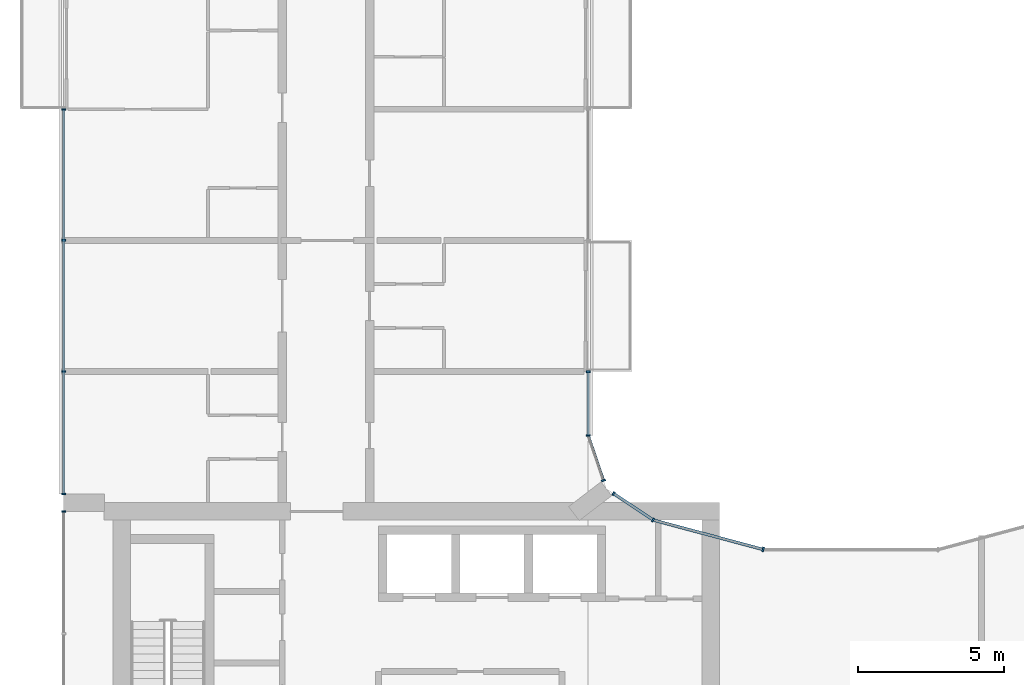
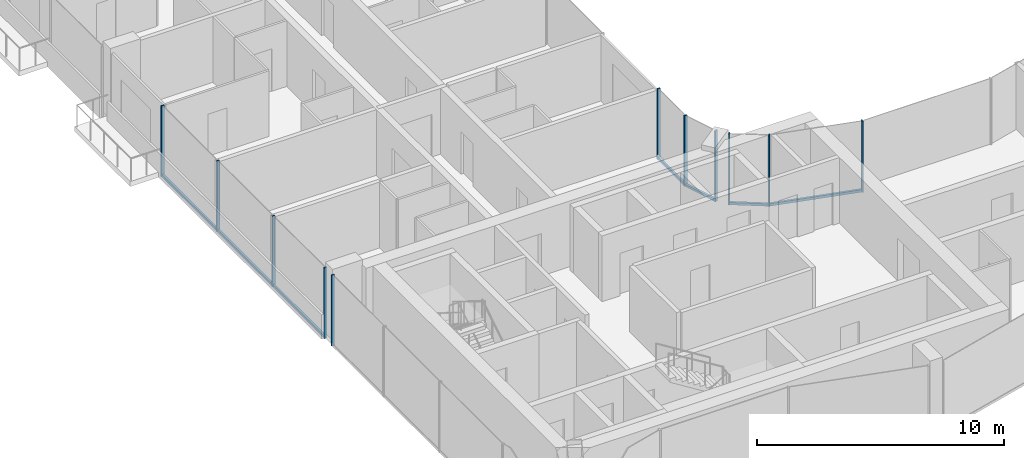
# One storey, part 4 of 15: 16 members, 6 elements without a shape of their own.
"""IFC4 building model written with IfcOpenShell, lengths in metres."""

import ifcopenshell
import ifcopenshell.guid

model = None  # the IFC model being written
_history = None  # IfcOwnerHistory: only IFC2X3 demands one
_inside = {}  # id of a spatial element -> (the spatial element, [elements in it])
_under = {}  # id of a project, library or spatial element -> (it, [spatial elements below it])
_declared = {}  # id of a project -> (the project, [libraries it declares])
_typed = {}  # id of a type object -> (the type object, [elements of that type])
_made_of = {}  # id of a material, layer set ... -> (it, [elements and type objects made of it])


def new_model(schema):
    """Start an empty IFC model of exactly this schema.

    Asked for "IFC4X3", IfcOpenShell would pick the latest addendum, in which some entities
    have other attributes; the version numbers below select the first issue.
    IFC2X3 requires an IfcOwnerHistory on every rooted entity: one is made here for all.
    """
    global model, _history
    if schema == "IFC4X3":
        model = ifcopenshell.file(schema_version=(4, 3, 0, 0))
    else:
        model = ifcopenshell.file(schema=schema)
    _inside.clear()
    _under.clear()
    _declared.clear()
    _typed.clear()
    _made_of.clear()
    _history = None
    if model.schema == "IFC2X3":
        org = make("IfcOrganization", Name="unknown")
        user = make(
            "IfcPersonAndOrganization",
            ThePerson=make("IfcPerson", FamilyName="unknown"),
            TheOrganization=org,
        )
        app = make(
            "IfcApplication",
            ApplicationDeveloper=org,
            Version="unknown",
            ApplicationFullName="unknown",
            ApplicationIdentifier="unknown",
        )
        _history = make(
            "IfcOwnerHistory",
            OwningUser=user,
            OwningApplication=app,
            ChangeAction="ADDED",
            CreationDate=0,
        )
    return model


def make(cls, **values):
    """One entity of the class cls with the attributes given. An attribute that is None is left unset."""
    return model.create_entity(
        cls, **{name: value for name, value in values.items() if value is not None}
    )


def rooted(cls, **values):
    """An entity with a GlobalId (a new one), such as an element, a storey or a relation."""
    return make(cls, GlobalId=ifcopenshell.guid.new(), OwnerHistory=_history, **values)


def si_unit(unit_type, name, prefix=None):
    """IfcSIUnit, for example si_unit("LENGTHUNIT", "METRE", prefix="MILLI")."""
    return make("IfcSIUnit", UnitType=unit_type, Prefix=prefix, Name=name)


def assignment(units):
    """IfcUnitAssignment: the units of a project."""
    return None if units is None else make("IfcUnitAssignment", Units=units)


def point(xyz):
    """IfcCartesianPoint."""
    return None if xyz is None else make("IfcCartesianPoint", Coordinates=xyz)


def direction(xyz):
    """IfcDirection."""
    return None if xyz is None else make("IfcDirection", DirectionRatios=xyz)


def frame(location, z_axis=None, x_axis=None):
    """IfcAxis2Placement3D, a coordinate frame: its origin and axes. An axis left out is left unset."""
    return make(
        "IfcAxis2Placement3D",
        Location=point(location),
        Axis=direction(z_axis),
        RefDirection=direction(x_axis),
    )


def frame_2d(location, x_axis=None):
    """IfcAxis2Placement2D, a coordinate frame in the plane: its origin and x axis."""
    return make(
        "IfcAxis2Placement2D", Location=point(location), RefDirection=direction(x_axis)
    )


def origin():
    """The frame at (0, 0, 0) with its axes left unset."""
    return frame((0.0, 0.0, 0.0))


def origin_2d():
    """The frame at (0, 0) in the plane with its x axis left unset."""
    return frame_2d((0.0, 0.0))


def place(relative_to, where):
    """IfcLocalPlacement: puts the frame where relative to a parent placement (None: the world)."""
    return make(
        "IfcLocalPlacement", PlacementRelTo=relative_to, RelativePlacement=where
    )


def context(
    kind, dimensions, precision=None, world=None, true_north=None, identifier=None
):
    """IfcGeometricRepresentationContext, for example the 3D "Model" context."""
    return make(
        "IfcGeometricRepresentationContext",
        ContextIdentifier=identifier,
        ContextType=kind,
        CoordinateSpaceDimension=dimensions,
        Precision=precision,
        WorldCoordinateSystem=world,
        TrueNorth=true_north,
    )


def subcontext(parent, identifier, kind, view, scale=None):
    """IfcGeometricRepresentationSubContext, for example "Body" below "Model"."""
    return make(
        "IfcGeometricRepresentationSubContext",
        ContextIdentifier=identifier,
        ContextType=kind,
        ParentContext=parent,
        TargetScale=scale,
        TargetView=view,
    )


def project(units=None, contexts=None):
    """IfcProject with its units and contexts."""
    return rooted(
        "IfcProject",
        Name="project",
        RepresentationContexts=contexts,
        UnitsInContext=assignment(units),
    )


def spatial(cls, under=None, at=None, **own):
    """A site, building, storey or space (cls), placed at a placement, below another one or the project."""
    s = rooted(cls, ObjectPlacement=at, **own)
    if under is not None:
        _under.setdefault(under.id(), (under, []))[1].append(s)
    return s


def profile(cls, at=None, kind="AREA", **sizes):
    """A parametric profile (cls). Its sizes go by their IFC names, for example OverallWidth=200.0."""
    return make(cls, ProfileType=kind, Position=at, **sizes)


def rectangle(**sizes):
    """IfcRectangleProfileDef."""
    return profile("IfcRectangleProfileDef", **sizes)


def extrude(swept, where, along, depth):
    """IfcExtrudedAreaSolid: the profile swept, set in the frame where, extruded along a direction by depth."""
    return make(
        "IfcExtrudedAreaSolid",
        SweptArea=swept,
        Position=where,
        ExtrudedDirection=direction(along),
        Depth=depth,
    )


def shape(context_of_items, identifier, shape_type, items):
    """IfcShapeRepresentation: the items that make up one representation, for example the "Body"."""
    return make(
        "IfcShapeRepresentation",
        ContextOfItems=context_of_items,
        RepresentationIdentifier=identifier,
        RepresentationType=shape_type,
        Items=items,
    )


def material(Name=None, Category=None):
    """IfcMaterial."""
    return make("IfcMaterial", Name=Name, Category=Category)


def layer(
    of_material, thickness, ventilated=None, Name=None, Category=None, Priority=None
):
    """IfcMaterialLayer: one layer of a wall or slab, of a material (None: an air gap)."""
    return make(
        "IfcMaterialLayer",
        Material=of_material,
        LayerThickness=thickness,
        IsVentilated=ventilated,
        Name=Name,
        Category=Category,
        Priority=Priority,
    )


def layer_set(layers, Name=None):
    """IfcMaterialLayerSet."""
    return make("IfcMaterialLayerSet", MaterialLayers=layers, LayerSetName=Name)


def material_profile(
    of_material, cross_section, Name=None, Category=None, Priority=None
):
    """IfcMaterialProfile: a cross section and its material."""
    return make(
        "IfcMaterialProfile",
        Name=Name,
        Material=of_material,
        Profile=cross_section,
        Priority=Priority,
        Category=Category,
    )


def profile_set(profiles, Name=None, composite=None):
    """IfcMaterialProfileSet."""
    return make(
        "IfcMaterialProfileSet",
        Name=Name,
        MaterialProfiles=profiles,
        CompositeProfile=composite,
    )


def made_of(thing, what):
    """Note that an element or type object is made of a material, layer set ...; save() writes the relation."""
    if what is not None:
        _made_of.setdefault(what.id(), (what, []))[1].append(thing)
    return thing


def type_object(cls, material=None, **own):
    """A type object (cls), such as IfcWallType, which elements share."""
    return made_of(rooted(cls, **own), material)


def element(
    cls,
    number,
    at=None,
    inside=None,
    cuts=None,
    type_object=None,
    material=None,
    context=None,
    identifier="Body",
    shape_type=None,
    held_by="IfcProductDefinitionShape",
    body=None,
    shapes=None,
    **own,
):
    """One element of the class cls, such as IfcWall. Its Tag is "e" and its number.

    at: its placement. inside: the storey or other place that contains it. cuts: it is an
    opening in that element (IfcRelVoidsElement). A single representation is given by context,
    identifier, shape_type and body (its items); several are given by shapes. held_by: the class
    of the entity that holds the representations. save() writes the other relations.
    """
    e = rooted(cls, Tag="e%d" % number, ObjectPlacement=at, **own)
    if body is not None:
        shapes = [shape(context, identifier, shape_type, body)]
    if shapes is not None:
        e.Representation = make(held_by, Representations=shapes)
    if inside is not None:
        _inside.setdefault(inside.id(), (inside, []))[1].append(e)
    if cuts is not None:
        rooted(
            "IfcRelVoidsElement", RelatingBuildingElement=cuts, RelatedOpeningElement=e
        )
    if type_object is not None:
        _typed.setdefault(type_object.id(), (type_object, []))[1].append(e)
    return made_of(e, material)


def aggregate(whole, parts):
    """IfcRelAggregates: a whole, such as a stair, and the parts it consists of."""
    return rooted("IfcRelAggregates", RelatingObject=whole, RelatedObjects=parts)


def save(model, path):
    """Write the relations noted so far, then the file.

    IfcRelAggregates (storeys below a building ...), IfcRelContainedInSpatialStructure (elements
    in a storey), IfcRelDefinesByType, IfcRelAssociatesMaterial and IfcRelDeclares: one each for
    every whole, place, type object, material and project.
    """
    for whole, parts in _under.values():
        aggregate(whole, parts)
    for where, things in _inside.values():
        rooted(
            "IfcRelContainedInSpatialStructure",
            RelatedElements=things,
            RelatingStructure=where,
        )
    for kind, things in _typed.values():
        rooted("IfcRelDefinesByType", RelatedObjects=things, RelatingType=kind)
    for what, things in _made_of.values():
        rooted("IfcRelAssociatesMaterial", RelatedObjects=things, RelatingMaterial=what)
    for by, libraries in _declared.values():
        rooted("IfcRelDeclares", RelatingContext=by, RelatedDefinitions=libraries)
    model.write(path)


model = new_model("IFC4")

# Units and contexts
model_context = context("Model", 3, precision=1e-05, world=origin(), true_north=direction((0.0, 1.0)))
body_context = subcontext(model_context, "Body", "Model", "MODEL_VIEW")
ifc_project = project(units=[si_unit("LENGTHUNIT", "METRE"), si_unit("AREAUNIT", "SQUARE_METRE"), si_unit("VOLUMEUNIT", "CUBIC_METRE"), si_unit("PLANEANGLEUNIT", "RADIAN"), si_unit("MASSUNIT", "GRAM", prefix="KILO")], contexts=[model_context])

# Site, building, storey
site_placement = place(None, origin())
site = spatial("IfcSite", under=ifc_project, at=site_placement, CompositionType="ELEMENT")
building_placement = place(site_placement, origin())
building = spatial("IfcBuilding", under=site, at=building_placement, Name="Plateau Cross Towers", CompositionType="ELEMENT")
storey_placement = place(building_placement, frame((0.0, 0.0, 153.39990234375)))
storey = spatial("IfcBuildingStorey", under=building, at=storey_placement, Name="L39", CompositionType="ELEMENT", Elevation=153.39990234375)

# Curtain wall, members
ifc_material_1 = material(Name="Dark low-iron glass", Category="glass")
ifc_layer_1 = layer(ifc_material_1, 0.239990234375)
ifc_layer_set_1 = layer_set([ifc_layer_1], Name="Dark low-iron glass")
curtain_wall_type_1 = type_object("IfcCurtainWallType", Name="Curtain wall flush unitised CW-B", PredefinedType="NOTDEFINED", material=ifc_layer_set_1)
curtain_wall_1_placement = place(storey_placement, origin())
curtain_wall_1 = element("IfcCurtainWall", 1, at=curtain_wall_1_placement, inside=storey, type_object=curtain_wall_type_1, Name="ENV/A/L39/A202_174", PredefinedType="NOTDEFINED")
ifc_material_2 = material(Name="Black anodised aluminium", Category="aluminium")
ifc_material_profile_1 = material_profile(ifc_material_2, rectangle(XDim=0.06005859375, YDim=0.139892578125, at=origin_2d()), Name="MULLION 60x140")
ifc_profile_set_1 = profile_set([ifc_material_profile_1], Name="Black anodised aluminium")
member_type_1 = type_object("IfcMemberType", Name="Mullion 60x140 flush unitised", PredefinedType="MULLION", material=ifc_profile_set_1)
member_1_placement = place(storey_placement, frame((20.223876953125, 17.404296875, -0.25), z_axis=(0.0, 0.0, 1.0), x_axis=(-0.831521253329, 0.555492938984, 0.0)))
member_1 = element("IfcMember", 2, at=member_1_placement, type_object=member_type_1, Name="CW-B mullion 1", PredefinedType="MULLION", context=body_context, shape_type="SweptSolid", body=[
    extrude(rectangle(XDim=0.06005859375, YDim=0.139892578125, at=origin_2d()), origin(), (0.0, 0.0, 1.0), 3.5),
])
member_2_placement = place(storey_placement, frame((18.86962890625, 18.30908203125, -0.25), z_axis=(0.0, 0.0, 1.0), x_axis=(-0.831521253329, 0.555492938984, 0.0)))
member_2 = element("IfcMember", 3, at=member_2_placement, type_object=member_type_1, Name="CW-B mullion 2", PredefinedType="MULLION", context=body_context, shape_type="SweptSolid", body=[
    extrude(rectangle(XDim=0.06005859375, YDim=0.139892578125, at=origin_2d()), origin(), (0.0, 0.0, 1.0), 3.5),
])

# Curtain wall, member
curtain_wall_2_placement = place(storey_placement, origin())
curtain_wall_2 = element("IfcCurtainWall", 4, at=curtain_wall_2_placement, inside=storey, type_object=curtain_wall_type_1, Name="ENV/A/L39/A185_188", PredefinedType="NOTDEFINED")
member_3_placement = place(storey_placement, frame((18.523681640625, 18.760009765625, -0.25), z_axis=(0.0, 0.0, 1.0), x_axis=(-0.321469161574, 0.94692004845, 0.0)))
member_3 = element("IfcMember", 5, at=member_3_placement, type_object=member_type_1, Name="CW-B mullion 1", PredefinedType="MULLION", context=body_context, shape_type="SweptSolid", body=[
    extrude(rectangle(XDim=0.06005859375, YDim=0.139892578125, at=origin_2d()), origin(), (0.0, 0.0, 1.0), 3.5),
])

# Curtain wall, members
curtain_wall_3_placement = place(storey_placement, origin())
curtain_wall_3 = element("IfcCurtainWall", 6, at=curtain_wall_3_placement, inside=storey, type_object=curtain_wall_type_1, Name="ENV/A/L39/A180_203", PredefinedType="NOTDEFINED")
member_4_placement = place(storey_placement, frame((18.0, 20.30224609375, -0.25), z_axis=(0.0, 0.0, 1.0), x_axis=(0.0, 1.0, 0.0)))
member_4 = element("IfcMember", 7, at=member_4_placement, type_object=member_type_1, Name="CW-B mullion 1", PredefinedType="MULLION", context=body_context, shape_type="SweptSolid", body=[
    extrude(rectangle(XDim=0.06005859375, YDim=0.139892578125, at=origin_2d()), origin(), (0.0, 0.0, 1.0), 3.5),
])
member_5_placement = place(storey_placement, frame((18.0, 22.489990234375, -0.25), z_axis=(0.0, 0.0, 1.0), x_axis=(0.0, 1.0, 0.0)))
member_5 = element("IfcMember", 8, at=member_5_placement, type_object=member_type_1, Name="CW-B mullion 2", PredefinedType="MULLION", context=body_context, shape_type="SweptSolid", body=[
    extrude(rectangle(XDim=0.06005859375, YDim=0.139892578125, at=origin_2d()), origin(), (0.0, 0.0, 1.0), 3.5),
])

curtain_wall_4_placement = place(storey_placement, origin())
curtain_wall_4 = element("IfcCurtainWall", 9, at=curtain_wall_4_placement, inside=storey, type_object=curtain_wall_type_1, Name="ENV/A/L39/A0_315", PredefinedType="NOTDEFINED")
member_6_placement = place(storey_placement, frame((0.0, 31.489990234375, -0.25), z_axis=(0.0, 0.0, 1.0), x_axis=(0.0, -1.0, 0.0)))
member_6 = element("IfcMember", 10, at=member_6_placement, type_object=member_type_1, Name="CW-B mullion 1", PredefinedType="MULLION", context=body_context, shape_type="SweptSolid", body=[
    extrude(rectangle(XDim=0.06005859375, YDim=0.139892578125, at=origin_2d()), origin(), (0.0, 0.0, 1.0), 3.5),
])
member_7_placement = place(storey_placement, frame((0.0, 27.0, -0.25), z_axis=(0.0, 0.0, 1.0), x_axis=(0.0, -1.0, 0.0)))
member_7 = element("IfcMember", 11, at=member_7_placement, type_object=member_type_1, Name="CW-B mullion 2", PredefinedType="MULLION", context=body_context, shape_type="SweptSolid", body=[
    extrude(rectangle(XDim=0.06005859375, YDim=0.139892578125, at=origin_2d()), origin(), (0.0, 0.0, 1.0), 3.5),
])
member_8_placement = place(storey_placement, frame((0.0, 22.5, -0.25), z_axis=(0.0, 0.0, 1.0), x_axis=(0.0, -1.0, 0.0)))
member_8 = element("IfcMember", 12, at=member_8_placement, type_object=member_type_1, Name="CW-B mullion 3", PredefinedType="MULLION", context=body_context, shape_type="SweptSolid", body=[
    extrude(rectangle(XDim=0.06005859375, YDim=0.139892578125, at=origin_2d()), origin(), (0.0, 0.0, 1.0), 3.5),
])
member_9_placement = place(storey_placement, frame((0.0, 18.300048828125, -0.25), z_axis=(0.0, 0.0, 1.0), x_axis=(0.0, -1.0, 0.0)))
member_9 = element("IfcMember", 13, at=member_9_placement, type_object=member_type_1, Name="CW-B mullion 4", PredefinedType="MULLION", context=body_context, shape_type="SweptSolid", body=[
    extrude(rectangle(XDim=0.06005859375, YDim=0.139892578125, at=origin_2d()), origin(), (0.0, 0.0, 1.0), 3.5),
])

# Curtain wall, member
curtain_wall_5_placement = place(storey_placement, origin())
curtain_wall_5 = element("IfcCurtainWall", 14, at=curtain_wall_5_placement, inside=storey, type_object=curtain_wall_type_1, Name="ENV/A/L39/A0_177", PredefinedType="NOTDEFINED")
member_10_placement = place(storey_placement, frame((0.0, 17.699951171875, -0.25), z_axis=(0.0, 0.0, 1.0), x_axis=(0.0, -1.0, 0.0)))
member_10 = element("IfcMember", 15, at=member_10_placement, type_object=member_type_1, Name="CW-B mullion 1", PredefinedType="MULLION", context=body_context, shape_type="SweptSolid", body=[
    extrude(rectangle(XDim=0.06005859375, YDim=0.139892578125, at=origin_2d()), origin(), (0.0, 0.0, 1.0), 3.5),
])
aggregate(curtain_wall_5, [member_10])

ifc_layer_2 = layer(ifc_material_1, 0.260009765625)
ifc_layer_set_2 = layer_set([ifc_layer_2], Name="Dark low-iron glass")
curtain_wall_type_2 = type_object("IfcCurtainWallType", Name="Curtain wall fluted unitised CW-A", PredefinedType="NOTDEFINED", material=ifc_layer_set_2)
curtain_wall_6_placement = place(storey_placement, origin())
curtain_wall_6 = element("IfcCurtainWall", 16, at=curtain_wall_6_placement, inside=storey, type_object=curtain_wall_type_2, Name="ENV/A/L39/A240_164", PredefinedType="NOTDEFINED")
ifc_material_profile_2 = material_profile(ifc_material_2, rectangle(XDim=0.06005859375, YDim=0.159912109375, at=origin_2d()), Name="MULLION 60x160")
ifc_profile_set_2 = profile_set([ifc_material_profile_2], Name="Black anodised aluminium")
member_type_2 = type_object("IfcMemberType", Name="Mullion 60x160 fluted unitised", PredefinedType="MULLION", material=ifc_profile_set_2)
member_11_placement = place(storey_placement, frame((24.0, 16.39306640625, -0.25), z_axis=(0.0, 0.0, 1.0), x_axis=(-0.965957995816, 0.258698956933, 0.0)))
member_11 = element("IfcMember", 17, at=member_11_placement, type_object=member_type_2, Name="CW-A mullion 1", PredefinedType="MULLION", context=body_context, shape_type="SweptSolid", body=[
    extrude(rectangle(XDim=0.06005859375, YDim=0.159912109375, at=origin_2d()), origin(), (0.0, 0.0, 1.0), 3.5),
])

# Member
ifc_material_profile_3 = material_profile(ifc_material_2, rectangle(XDim=0.10009765625, YDim=0.1201171875, at=origin_2d()), Name="TRANSOM 100x120")
ifc_profile_set_3 = profile_set([ifc_material_profile_3], Name="Black anodised aluminium")
member_type_3 = type_object("IfcMemberType", Name="Transom 100x120 flush unitised", PredefinedType="USERDEFINED", material=ifc_profile_set_3)
member_12_placement = place(storey_placement, frame((20.223876953125, 17.404296875, -0.18994140625), z_axis=(-0.831496402487, 0.555530136582, 0.0), x_axis=(-0.555530136582, -0.831496402487, 0.0)))
member_12 = element("IfcMember", 18, at=member_12_placement, type_object=member_type_3, Name="CW-B transom", ObjectType="TRANSOM", PredefinedType="USERDEFINED", context=body_context, shape_type="SweptSolid", body=[
    extrude(rectangle(XDim=0.10009765625, YDim=0.1201171875, at=origin_2d()), origin(), (0.0, 0.0, 1.0), 1.628662109375),
])

aggregate(curtain_wall_1, [member_1, member_2, member_12])

member_13_placement = place(storey_placement, frame((18.523681640625, 18.760009765625, -0.18994140625), z_axis=(-0.321529174838, 0.946899672472, 0.0), x_axis=(-0.946899672472, -0.321529174838, 0.0)))
member_13 = element("IfcMember", 19, at=member_13_placement, type_object=member_type_3, Name="CW-B transom", ObjectType="TRANSOM", PredefinedType="USERDEFINED", context=body_context, shape_type="SweptSolid", body=[
    extrude(rectangle(XDim=0.10009765625, YDim=0.1201171875, at=origin_2d()), origin(), (0.0, 0.0, 1.0), 1.628662109375),
])

aggregate(curtain_wall_2, [member_3, member_13])

member_14_placement = place(storey_placement, frame((18.0, 20.30224609375, -0.18994140625), z_axis=(0.0, 1.0, 0.0), x_axis=(-1.0, 0.0, 0.0)))
member_14 = element("IfcMember", 20, at=member_14_placement, type_object=member_type_3, Name="CW-B transom", ObjectType="TRANSOM", PredefinedType="USERDEFINED", context=body_context, shape_type="SweptSolid", body=[
    extrude(rectangle(XDim=0.10009765625, YDim=0.1201171875, at=origin_2d()), origin(), (0.0, 0.0, 1.0), 2.187744140625),
])

aggregate(curtain_wall_3, [member_4, member_5, member_14])

member_15_placement = place(storey_placement, frame((0.0, 31.489990234375, -0.18994140625), z_axis=(0.0, -1.0, 0.0), x_axis=(1.0, 0.0, 0.0)))
member_15 = element("IfcMember", 21, at=member_15_placement, type_object=member_type_3, Name="CW-B transom", ObjectType="TRANSOM", PredefinedType="USERDEFINED", context=body_context, shape_type="SweptSolid", body=[
    extrude(rectangle(XDim=0.10009765625, YDim=0.1201171875, at=origin_2d()), origin(), (0.0, 0.0, 1.0), 13.18994140625),
])

aggregate(curtain_wall_4, [member_6, member_7, member_8, member_9, member_15])

ifc_material_profile_4 = material_profile(ifc_material_2, rectangle(XDim=0.10009765625, YDim=0.1201171875, at=origin_2d()), Name="TRANSOM 100x120")
ifc_profile_set_4 = profile_set([ifc_material_profile_4], Name="Black anodised aluminium")
member_type_4 = type_object("IfcMemberType", Name="Transom 100x120 fluted unitised", PredefinedType="USERDEFINED", material=ifc_profile_set_4)
member_16_placement = place(storey_placement, frame((24.0, 16.39306640625, -0.18994140625), z_axis=(-0.965962822393, 0.25868093427, 0.0), x_axis=(-0.25868093427, -0.965962822393, 0.0)))
member_16 = element("IfcMember", 22, at=member_16_placement, type_object=member_type_4, Name="CW-A transom", ObjectType="TRANSOM", PredefinedType="USERDEFINED", context=body_context, shape_type="SweptSolid", body=[
    extrude(rectangle(XDim=0.10009765625, YDim=0.1201171875, at=origin_2d()), origin(), (0.0, 0.0, 1.0), 3.9091796875),
])

aggregate(curtain_wall_6, [member_11, member_16])

save(model, "model.ifc")
